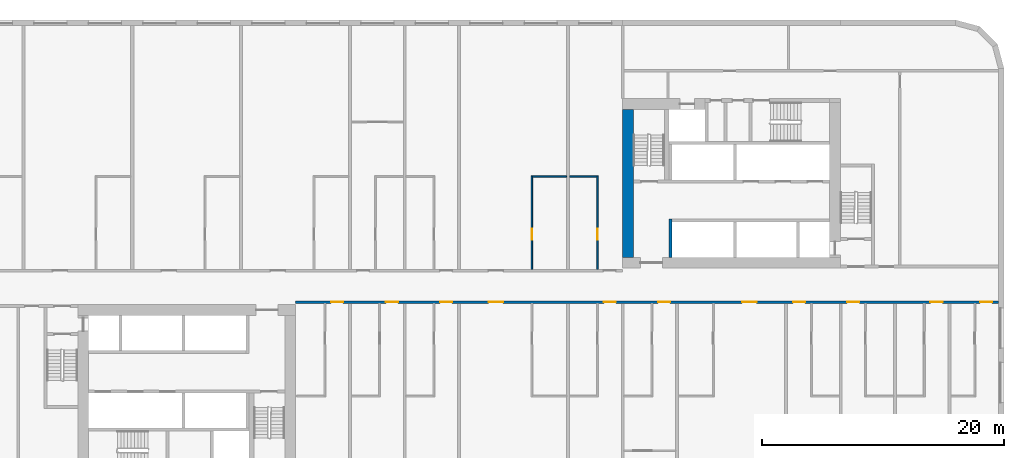
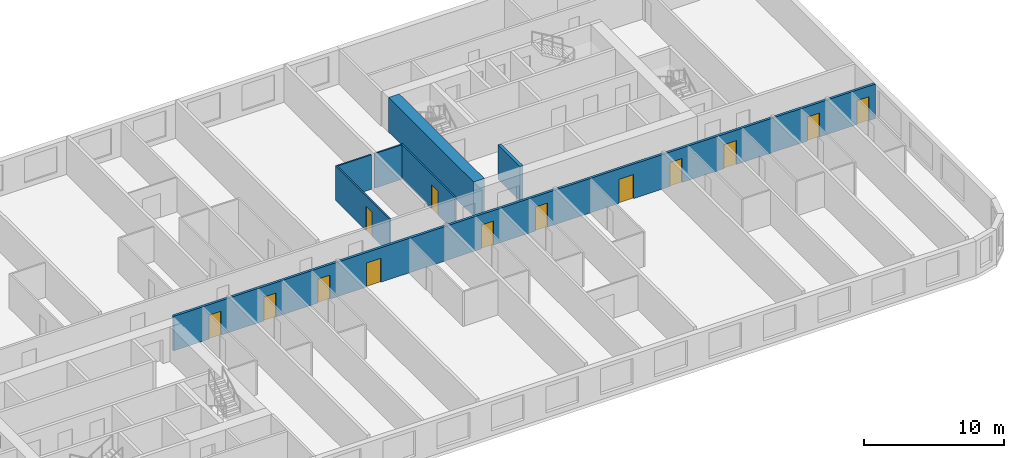
# One storey, part 5 of 12: 13 doors, 7 walls, 13 openings.
"""IFC4 building model written with IfcOpenShell, lengths in metres."""

from ifc_helpers import new_model, si_unit, direction, frame, frame_2d, origin, place, context, subcontext, project, spatial, rectangle, extrude, material, layer, layer_set, type_object, element, fill, save


model = new_model("IFC4")

# Units and contexts
model_context = context("Model", 3, precision=1e-05, world=origin(), true_north=direction((0.0, 1.0)))
body_context = subcontext(model_context, "Body", "Model", "MODEL_VIEW")
ifc_project = project(units=[si_unit("LENGTHUNIT", "METRE"), si_unit("AREAUNIT", "SQUARE_METRE"), si_unit("VOLUMEUNIT", "CUBIC_METRE"), si_unit("PLANEANGLEUNIT", "RADIAN"), si_unit("MASSUNIT", "GRAM", prefix="KILO")], contexts=[model_context])

# Site, building, storey
site_placement = place(None, origin())
site = spatial("IfcSite", under=ifc_project, at=site_placement, CompositionType="ELEMENT")
building_placement = place(site_placement, origin())
building = spatial("IfcBuilding", under=site, at=building_placement, Name="Kajstack Hotel Tower", CompositionType="ELEMENT")
storey_placement = place(building_placement, frame((0.0, 0.0, 83.10009765625)))
storey = spatial("IfcBuildingStorey", under=building, at=storey_placement, Name="L16", CompositionType="ELEMENT", Elevation=83.10009765625)

# Wall
ifc_material_1 = material(Name="Concrete C60/75", Category="concrete")
ifc_layer_1 = layer(ifc_material_1, 0.89990234375)
ifc_layer_set_1 = layer_set([ifc_layer_1], Name="Core wall 900")
wall_type_1 = type_object("IfcWallType", Name="Core wall 900", PredefinedType="SHEAR", material=ifc_layer_set_1)
wall_1_placement = place(storey_placement, frame((13.949951171875, 2.39990234375, 0.0), z_axis=(0.0, 0.0, 1.0), x_axis=(0.0, 1.0, 0.0)))
element("IfcWall", 1, at=wall_1_placement, inside=storey, type_object=wall_type_1, Name="Core wall E RE", PredefinedType="SHEAR", context=body_context, shape_type="SweptSolid", body=[
    extrude(rectangle(XDim=12.2001953125, YDim=0.89990234375, at=frame_2d((6.10009765625, 0.0))), origin(), (0.0, 0.0, 1.0), 3.02001953125),
])

# Wall, openings, doors
ifc_material_2 = material(Name="Gypsum board on steel studs, mineral wool", Category="steel")
ifc_layer_2 = layer(ifc_material_2, 0.199951171875)
ifc_layer_set_2 = layer_set([ifc_layer_2], Name="Corridor wall 200")
wall_type_2 = type_object("IfcWallType", Name="Corridor wall 200", PredefinedType="PARTITIONING", material=ifc_layer_set_2)
wall_2_placement = place(storey_placement, frame((-13.5, -1.300048828125, 0.0), z_axis=(0.0, 0.0, 1.0), x_axis=(1.0, 0.0, 0.0)))
wall_2 = element("IfcWall", 2, at=wall_2_placement, inside=storey, type_object=wall_type_2, Name="G-wall-L16-024", PredefinedType="PARTITIONING", context=body_context, shape_type="SweptSolid", body=[
    extrude(rectangle(XDim=58.050048828125, YDim=0.199951171875, at=frame_2d((29.02490234375, 0.0))), origin(), (0.0, 0.0, 1.0), 3.02001953125),
])
opening_1_placement = place(wall_2_placement, frame((2.925048828125, 0.0, 0.0)))
opening_1 = element("IfcOpeningElement", 3, at=opening_1_placement, cuts=wall_2, Name="Opening 16020", PredefinedType="OPENING", context=body_context, shape_type="SweptSolid", body=[
    extrude(rectangle(XDim=1.0, YDim=2.10009765625, at=frame_2d((0.5, 1.050048828125))), frame((0.0, 0.10986328125, 0.0), z_axis=(0.0, -1.0, 0.0), x_axis=(1.0, 0.0, 0.0)), (0.0, 0.0, 1.0), 0.219970703125),
])
opening_2_placement = place(wall_2_placement, frame((7.449951171875, 0.0, 0.0)))
opening_2 = element("IfcOpeningElement", 4, at=opening_2_placement, cuts=wall_2, Name="Opening 16022", PredefinedType="OPENING", context=body_context, shape_type="SweptSolid", body=[
    extrude(rectangle(XDim=1.0, YDim=2.10009765625, at=frame_2d((0.5, 1.050048828125))), frame((0.0, 0.10986328125, 0.0), z_axis=(0.0, -1.0, 0.0), x_axis=(1.0, 0.0, 0.0)), (0.0, 0.0, 1.0), 0.219970703125),
])
opening_3_placement = place(wall_2_placement, frame((11.925048828125, 0.0, 0.0)))
opening_3 = element("IfcOpeningElement", 5, at=opening_3_placement, cuts=wall_2, Name="Opening 16024", PredefinedType="OPENING", context=body_context, shape_type="SweptSolid", body=[
    extrude(rectangle(XDim=1.0, YDim=2.10009765625, at=frame_2d((0.5, 1.050048828125))), frame((0.0, 0.10986328125, 0.0), z_axis=(0.0, -1.0, 0.0), x_axis=(1.0, 0.0, 0.0)), (0.0, 0.0, 1.0), 0.219970703125),
])
opening_4_placement = place(wall_2_placement, frame((15.93798828125, 0.0, 0.0)))
opening_4 = element("IfcOpeningElement", 6, at=opening_4_placement, cuts=wall_2, Name="Opening 16026", PredefinedType="OPENING", context=body_context, shape_type="SweptSolid", body=[
    extrude(rectangle(XDim=1.199951171875, YDim=2.10009765625, at=frame_2d((0.60009765625, 1.050048828125))), frame((0.0, 0.10986328125, 0.0), z_axis=(0.0, -1.0, 0.0), x_axis=(1.0, 0.0, 0.0)), (0.0, 0.0, 1.0), 0.219970703125),
])
opening_5_placement = place(wall_2_placement, frame((25.449951171875, 0.0, 0.0)))
opening_5 = element("IfcOpeningElement", 7, at=opening_5_placement, cuts=wall_2, Name="Opening 16028", PredefinedType="OPENING", context=body_context, shape_type="SweptSolid", body=[
    extrude(rectangle(XDim=1.0, YDim=2.10009765625, at=frame_2d((0.5, 1.050048828125))), frame((0.0, 0.10986328125, 0.0), z_axis=(0.0, -1.0, 0.0), x_axis=(1.0, 0.0, 0.0)), (0.0, 0.0, 1.0), 0.219970703125),
])
opening_6_placement = place(wall_2_placement, frame((29.925048828125, 0.0, 0.0)))
opening_6 = element("IfcOpeningElement", 8, at=opening_6_placement, cuts=wall_2, Name="Opening 16030", PredefinedType="OPENING", context=body_context, shape_type="SweptSolid", body=[
    extrude(rectangle(XDim=1.0, YDim=2.10009765625, at=frame_2d((0.5, 1.050048828125))), frame((0.0, 0.10986328125, 0.0), z_axis=(0.0, -1.0, 0.0), x_axis=(1.0, 0.0, 0.0)), (0.0, 0.0, 1.0), 0.219970703125),
])
opening_7_placement = place(wall_2_placement, frame((36.862060546875, 0.0, 0.0)))
opening_7 = element("IfcOpeningElement", 9, at=opening_7_placement, cuts=wall_2, Name="Opening 16033", PredefinedType="OPENING", context=body_context, shape_type="SweptSolid", body=[
    extrude(rectangle(XDim=1.199951171875, YDim=2.10009765625, at=frame_2d((0.60009765625, 1.050048828125))), frame((0.0, 0.10986328125, 0.0), z_axis=(0.0, -1.0, 0.0), x_axis=(1.0, 0.0, 0.0)), (0.0, 0.0, 1.0), 0.219970703125),
])
opening_8_placement = place(wall_2_placement, frame((41.074951171875, 0.0, 0.0)))
opening_8 = element("IfcOpeningElement", 10, at=opening_8_placement, cuts=wall_2, Name="Opening 16035", PredefinedType="OPENING", context=body_context, shape_type="SweptSolid", body=[
    extrude(rectangle(XDim=1.0, YDim=2.10009765625, at=frame_2d((0.5, 1.050048828125))), frame((0.0, 0.10986328125, 0.0), z_axis=(0.0, -1.0, 0.0), x_axis=(1.0, 0.0, 0.0)), (0.0, 0.0, 1.0), 0.219970703125),
])
opening_9_placement = place(wall_2_placement, frame((45.550048828125, 0.0, 0.0)))
opening_9 = element("IfcOpeningElement", 11, at=opening_9_placement, cuts=wall_2, Name="Opening 16037", PredefinedType="OPENING", context=body_context, shape_type="SweptSolid", body=[
    extrude(rectangle(XDim=1.0, YDim=2.10009765625, at=frame_2d((0.5, 1.050048828125))), frame((0.0, 0.10986328125, 0.0), z_axis=(0.0, -1.0, 0.0), x_axis=(1.0, 0.0, 0.0)), (0.0, 0.0, 1.0), 0.219970703125),
])
opening_10_placement = place(wall_2_placement, frame((52.425048828125, 0.0, 0.0)))
opening_10 = element("IfcOpeningElement", 12, at=opening_10_placement, cuts=wall_2, Name="Opening 16039", PredefinedType="OPENING", context=body_context, shape_type="SweptSolid", body=[
    extrude(rectangle(XDim=1.0, YDim=2.10009765625, at=frame_2d((0.5, 1.050048828125))), frame((0.0, 0.10986328125, 0.0), z_axis=(0.0, -1.0, 0.0), x_axis=(1.0, 0.0, 0.0)), (0.0, 0.0, 1.0), 0.219970703125),
])
opening_11_placement = place(wall_2_placement, frame((56.52490234375, 0.0, 0.0)))
opening_11 = element("IfcOpeningElement", 13, at=opening_11_placement, cuts=wall_2, Name="Opening 16041", PredefinedType="OPENING", context=body_context, shape_type="SweptSolid", body=[
    extrude(rectangle(XDim=1.0, YDim=2.10009765625, at=frame_2d((0.5, 1.050048828125))), frame((0.0, 0.10986328125, 0.0), z_axis=(0.0, -1.0, 0.0), x_axis=(1.0, 0.0, 0.0)), (0.0, 0.0, 1.0), 0.219970703125),
])
ifc_material_3 = material(Name="Oak veneer on timber core, fire-rated leaf", Category="wood")
door_type_1 = type_object("IfcDoorType", Name="Flat entrance door 1000", OperationType="SINGLE_SWING_LEFT", PredefinedType="DOOR", material=ifc_material_3)
door_1_placement = place(opening_1_placement, origin())
door_1 = element("IfcDoor", 14, at=door_1_placement, inside=storey, type_object=door_type_1, Name="G-door-L16-20", OperationType="SINGLE_SWING_LEFT", OverallHeight=2.10009765625, OverallWidth=1.0, PredefinedType="DOOR", context=body_context, shape_type="SweptSolid", body=[
    extrude(rectangle(XDim=1.0, YDim=2.10009765625, at=frame_2d((0.5, 1.050048828125))), frame((0.0, 0.02490234375, 0.0), z_axis=(0.0, -1.0, 0.0), x_axis=(1.0, 0.0, 0.0)), (0.0, 0.0, 1.0), 0.050048828125),
])
fill(opening_1, door_1)
door_2_placement = place(opening_2_placement, origin())
door_2 = element("IfcDoor", 15, at=door_2_placement, inside=storey, type_object=door_type_1, Name="G-door-L16-22", OperationType="SINGLE_SWING_LEFT", OverallHeight=2.10009765625, OverallWidth=1.0, PredefinedType="DOOR", context=body_context, shape_type="SweptSolid", body=[
    extrude(rectangle(XDim=1.0, YDim=2.10009765625, at=frame_2d((0.5, 1.050048828125))), frame((0.0, 0.02490234375, 0.0), z_axis=(0.0, -1.0, 0.0), x_axis=(1.0, 0.0, 0.0)), (0.0, 0.0, 1.0), 0.050048828125),
])
fill(opening_2, door_2)
door_3_placement = place(opening_3_placement, origin())
door_3 = element("IfcDoor", 16, at=door_3_placement, inside=storey, type_object=door_type_1, Name="G-door-L16-24", OperationType="SINGLE_SWING_RIGHT", OverallHeight=2.10009765625, OverallWidth=1.0, PredefinedType="DOOR", context=body_context, shape_type="SweptSolid", body=[
    extrude(rectangle(XDim=1.0, YDim=2.10009765625, at=frame_2d((0.5, 1.050048828125))), frame((0.0, 0.02490234375, 0.0), z_axis=(0.0, -1.0, 0.0), x_axis=(1.0, 0.0, 0.0)), (0.0, 0.0, 1.0), 0.050048828125),
])
fill(opening_3, door_3)
door_4_placement = place(opening_5_placement, origin())
door_4 = element("IfcDoor", 17, at=door_4_placement, inside=storey, type_object=door_type_1, Name="G-door-L16-28", OperationType="SINGLE_SWING_RIGHT", OverallHeight=2.10009765625, OverallWidth=1.0, PredefinedType="DOOR", context=body_context, shape_type="SweptSolid", body=[
    extrude(rectangle(XDim=1.0, YDim=2.10009765625, at=frame_2d((0.5, 1.050048828125))), frame((0.0, 0.02490234375, 0.0), z_axis=(0.0, -1.0, 0.0), x_axis=(1.0, 0.0, 0.0)), (0.0, 0.0, 1.0), 0.050048828125),
])
fill(opening_5, door_4)
door_5_placement = place(opening_6_placement, origin())
door_5 = element("IfcDoor", 18, at=door_5_placement, inside=storey, type_object=door_type_1, Name="G-door-L16-30", OperationType="SINGLE_SWING_RIGHT", OverallHeight=2.10009765625, OverallWidth=1.0, PredefinedType="DOOR", context=body_context, shape_type="SweptSolid", body=[
    extrude(rectangle(XDim=1.0, YDim=2.10009765625, at=frame_2d((0.5, 1.050048828125))), frame((0.0, 0.02490234375, 0.0), z_axis=(0.0, -1.0, 0.0), x_axis=(1.0, 0.0, 0.0)), (0.0, 0.0, 1.0), 0.050048828125),
])
fill(opening_6, door_5)
door_6_placement = place(opening_8_placement, origin())
door_6 = element("IfcDoor", 19, at=door_6_placement, inside=storey, type_object=door_type_1, Name="G-door-L16-35", OperationType="SINGLE_SWING_LEFT", OverallHeight=2.10009765625, OverallWidth=1.0, PredefinedType="DOOR", context=body_context, shape_type="SweptSolid", body=[
    extrude(rectangle(XDim=1.0, YDim=2.10009765625, at=frame_2d((0.5, 1.050048828125))), frame((0.0, 0.02490234375, 0.0), z_axis=(0.0, -1.0, 0.0), x_axis=(1.0, 0.0, 0.0)), (0.0, 0.0, 1.0), 0.050048828125),
])
fill(opening_8, door_6)
door_7_placement = place(opening_9_placement, origin())
door_7 = element("IfcDoor", 20, at=door_7_placement, inside=storey, type_object=door_type_1, Name="G-door-L16-37", OperationType="SINGLE_SWING_RIGHT", OverallHeight=2.10009765625, OverallWidth=1.0, PredefinedType="DOOR", context=body_context, shape_type="SweptSolid", body=[
    extrude(rectangle(XDim=1.0, YDim=2.10009765625, at=frame_2d((0.5, 1.050048828125))), frame((0.0, 0.02490234375, 0.0), z_axis=(0.0, -1.0, 0.0), x_axis=(1.0, 0.0, 0.0)), (0.0, 0.0, 1.0), 0.050048828125),
])
fill(opening_9, door_7)
door_8_placement = place(opening_10_placement, origin())
door_8 = element("IfcDoor", 21, at=door_8_placement, inside=storey, type_object=door_type_1, Name="G-door-L16-39", OperationType="SINGLE_SWING_LEFT", OverallHeight=2.10009765625, OverallWidth=1.0, PredefinedType="DOOR", context=body_context, shape_type="SweptSolid", body=[
    extrude(rectangle(XDim=1.0, YDim=2.10009765625, at=frame_2d((0.5, 1.050048828125))), frame((0.0, 0.02490234375, 0.0), z_axis=(0.0, -1.0, 0.0), x_axis=(1.0, 0.0, 0.0)), (0.0, 0.0, 1.0), 0.050048828125),
])
fill(opening_10, door_8)
door_9_placement = place(opening_11_placement, origin())
door_9 = element("IfcDoor", 22, at=door_9_placement, inside=storey, type_object=door_type_1, Name="G-door-L16-41", OperationType="SINGLE_SWING_LEFT", OverallHeight=2.10009765625, OverallWidth=1.0, PredefinedType="DOOR", context=body_context, shape_type="SweptSolid", body=[
    extrude(rectangle(XDim=1.0, YDim=2.10009765625, at=frame_2d((0.5, 1.050048828125))), frame((0.0, 0.02490234375, 0.0), z_axis=(0.0, -1.0, 0.0), x_axis=(1.0, 0.0, 0.0)), (0.0, 0.0, 1.0), 0.050048828125),
])
fill(opening_11, door_9)
door_type_2 = type_object("IfcDoorType", Name="Flat entrance door 1200", OperationType="SINGLE_SWING_LEFT", PredefinedType="DOOR", material=ifc_material_3)
door_10_placement = place(opening_4_placement, origin())
door_10 = element("IfcDoor", 23, at=door_10_placement, inside=storey, type_object=door_type_2, Name="G-door-L16-26", OperationType="SINGLE_SWING_RIGHT", OverallHeight=2.10009765625, OverallWidth=1.199951171875, PredefinedType="DOOR", context=body_context, shape_type="SweptSolid", body=[
    extrude(rectangle(XDim=1.199951171875, YDim=2.10009765625, at=frame_2d((0.60009765625, 1.050048828125))), frame((0.0, 0.02490234375, 0.0), z_axis=(0.0, -1.0, 0.0), x_axis=(1.0, 0.0, 0.0)), (0.0, 0.0, 1.0), 0.050048828125),
])
fill(opening_4, door_10)
door_11_placement = place(opening_7_placement, origin())
door_11 = element("IfcDoor", 24, at=door_11_placement, inside=storey, type_object=door_type_2, Name="G-door-L16-33", OperationType="SINGLE_SWING_LEFT", OverallHeight=2.10009765625, OverallWidth=1.199951171875, PredefinedType="DOOR", context=body_context, shape_type="SweptSolid", body=[
    extrude(rectangle(XDim=1.199951171875, YDim=2.10009765625, at=frame_2d((0.60009765625, 1.050048828125))), frame((0.0, 0.02490234375, 0.0), z_axis=(0.0, -1.0, 0.0), x_axis=(1.0, 0.0, 0.0)), (0.0, 0.0, 1.0), 0.050048828125),
])
fill(opening_7, door_11)

# Wall, opening, door
ifc_material_4 = material(Name="Gypsum board and tiled backer on steel studs", Category="steel")
ifc_layer_3 = layer(ifc_material_4, 0.125)
ifc_layer_set_3 = layer_set([ifc_layer_3], Name="En-suite wall 125")
wall_type_3 = type_object("IfcWallType", Name="En-suite wall 125", PredefinedType="PARTITIONING", material=ifc_layer_set_3)
wall_3_placement = place(storey_placement, frame((6.012939453125, 1.39990234375, 0.0), z_axis=(0.0, 0.0, 1.0), x_axis=(0.0, 1.0, 0.0)))
wall_3 = element("IfcWall", 25, at=wall_3_placement, inside=storey, type_object=wall_type_3, Name="G-wall-L16-020", PredefinedType="PARTITIONING", context=body_context, shape_type="SweptSolid", body=[
    extrude(rectangle(XDim=7.72509765625, YDim=0.125, at=frame_2d((3.862548828125, 0.0))), origin(), (0.0, 0.0, 1.0), 3.02001953125),
])
opening_12_placement = place(wall_3_placement, frame((2.449951171875, 0.0, 0.0)))
opening_12 = element("IfcOpeningElement", 26, at=opening_12_placement, cuts=wall_3, Name="Opening 16017", PredefinedType="OPENING", context=body_context, shape_type="SweptSolid", body=[
    extrude(rectangle(XDim=0.89990234375, YDim=2.10009765625, at=frame_2d((0.449951171875, 1.050048828125))), frame((0.0, 0.072509765625, 0.0), z_axis=(0.0, -1.0, 0.0), x_axis=(1.0, 0.0, 0.0)), (0.0, 0.0, 1.0), 0.14501953125),
])
ifc_material_5 = material(Name="Painted timber door leaf", Category="wood")
door_type_3 = type_object("IfcDoorType", Name="Room door 900", OperationType="SINGLE_SWING_LEFT", PredefinedType="DOOR", material=ifc_material_5)
door_12_placement = place(opening_12_placement, origin())
door_12 = element("IfcDoor", 27, at=door_12_placement, inside=storey, type_object=door_type_3, Name="G-door-L16-17", OperationType="SINGLE_SWING_LEFT", OverallHeight=2.10009765625, OverallWidth=0.89990234375, PredefinedType="DOOR", context=body_context, shape_type="SweptSolid", body=[
    extrude(rectangle(XDim=0.89990234375, YDim=2.10009765625, at=frame_2d((0.449951171875, 1.050048828125))), frame((0.0, 0.02490234375, 0.0), z_axis=(0.0, -1.0, 0.0), x_axis=(1.0, 0.0, 0.0)), (0.0, 0.0, 1.0), 0.050048828125),
])
fill(opening_12, door_12)

# Wall
wall_4_placement = place(storey_placement, frame((6.074951171875, 9.06201171875, 0.0), z_axis=(0.0, 0.0, 1.0), x_axis=(1.0, 0.0, 0.0)))
element("IfcWall", 28, at=wall_4_placement, inside=storey, type_object=wall_type_3, Name="G-wall-L16-021", PredefinedType="PARTITIONING", context=body_context, shape_type="SweptSolid", body=[
    extrude(rectangle(XDim=2.800048828125, YDim=0.125, at=frame_2d((1.39990234375, 0.0))), origin(), (0.0, 0.0, 1.0), 3.02001953125),
])

# Wall, opening, door
wall_5_placement = place(storey_placement, frame((11.43798828125, 1.39990234375, 0.0), z_axis=(0.0, 0.0, 1.0), x_axis=(0.0, 1.0, 0.0)))
wall_5 = element("IfcWall", 29, at=wall_5_placement, inside=storey, type_object=wall_type_3, Name="G-wall-L16-022", PredefinedType="PARTITIONING", context=body_context, shape_type="SweptSolid", body=[
    extrude(rectangle(XDim=7.72509765625, YDim=0.125, at=frame_2d((3.862548828125, 0.0))), origin(), (0.0, 0.0, 1.0), 3.02001953125),
])
opening_13_placement = place(wall_5_placement, frame((2.449951171875, 0.0, 0.0)))
opening_13 = element("IfcOpeningElement", 30, at=opening_13_placement, cuts=wall_5, Name="Opening 16019", PredefinedType="OPENING", context=body_context, shape_type="SweptSolid", body=[
    extrude(rectangle(XDim=0.89990234375, YDim=2.10009765625, at=frame_2d((0.449951171875, 1.050048828125))), frame((0.0, 0.072509765625, 0.0), z_axis=(0.0, -1.0, 0.0), x_axis=(1.0, 0.0, 0.0)), (0.0, 0.0, 1.0), 0.14501953125),
])
door_13_placement = place(opening_13_placement, origin())
door_13 = element("IfcDoor", 31, at=door_13_placement, inside=storey, type_object=door_type_3, Name="G-door-L16-19", OperationType="SINGLE_SWING_LEFT", OverallHeight=2.10009765625, OverallWidth=0.89990234375, PredefinedType="DOOR", context=body_context, shape_type="SweptSolid", body=[
    extrude(rectangle(XDim=0.89990234375, YDim=2.10009765625, at=frame_2d((0.449951171875, 1.050048828125))), frame((0.0, 0.02490234375, 0.0), z_axis=(0.0, -1.0, 0.0), x_axis=(1.0, 0.0, 0.0)), (0.0, 0.0, 1.0), 0.050048828125),
])
fill(opening_13, door_13)

# Walls
wall_6_placement = place(storey_placement, frame((9.125, 9.06201171875, 0.0), z_axis=(0.0, 0.0, 1.0), x_axis=(1.0, 0.0, 0.0)))
element("IfcWall", 32, at=wall_6_placement, inside=storey, type_object=wall_type_3, Name="G-wall-L16-023", PredefinedType="PARTITIONING", context=body_context, shape_type="SweptSolid", body=[
    extrude(rectangle(XDim=2.25, YDim=0.125, at=frame_2d((1.125, 0.0))), origin(), (0.0, 0.0, 1.0), 3.02001953125),
])
ifc_material_6 = material(Name="Concrete C50/60", Category="concrete")
ifc_layer_4 = layer(ifc_material_6, 0.25)
ifc_layer_set_4 = layer_set([ifc_layer_4], Name="Shaft wall 250")
wall_type_4 = type_object("IfcWallType", Name="Shaft wall 250", PredefinedType="SHEAR", material=ifc_layer_set_4)
wall_7_placement = place(storey_placement, frame((17.47509765625, 2.39990234375, 0.0), z_axis=(0.0, 0.0, 1.0), x_axis=(0.0, 1.0, 0.0)))
element("IfcWall", 33, at=wall_7_placement, inside=storey, type_object=wall_type_4, Name="Core wall E AE", PredefinedType="SHEAR", context=body_context, shape_type="SweptSolid", body=[
    extrude(rectangle(XDim=3.150146484375, YDim=0.25, at=frame_2d((1.5751953125, 0.0))), origin(), (0.0, 0.0, 1.0), 3.02001953125),
])

save(model, "model.ifc")
